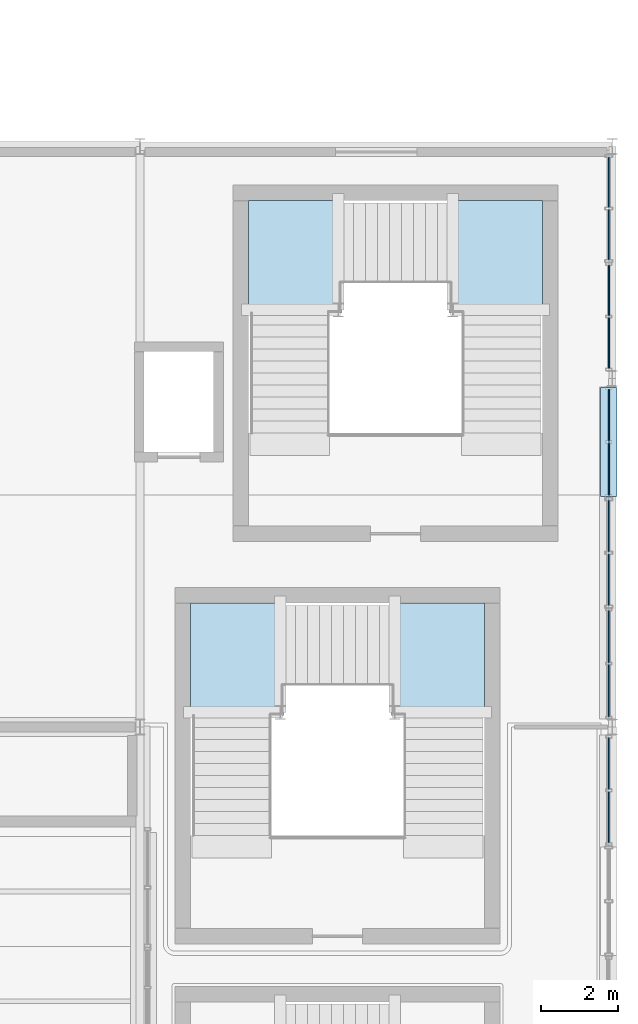
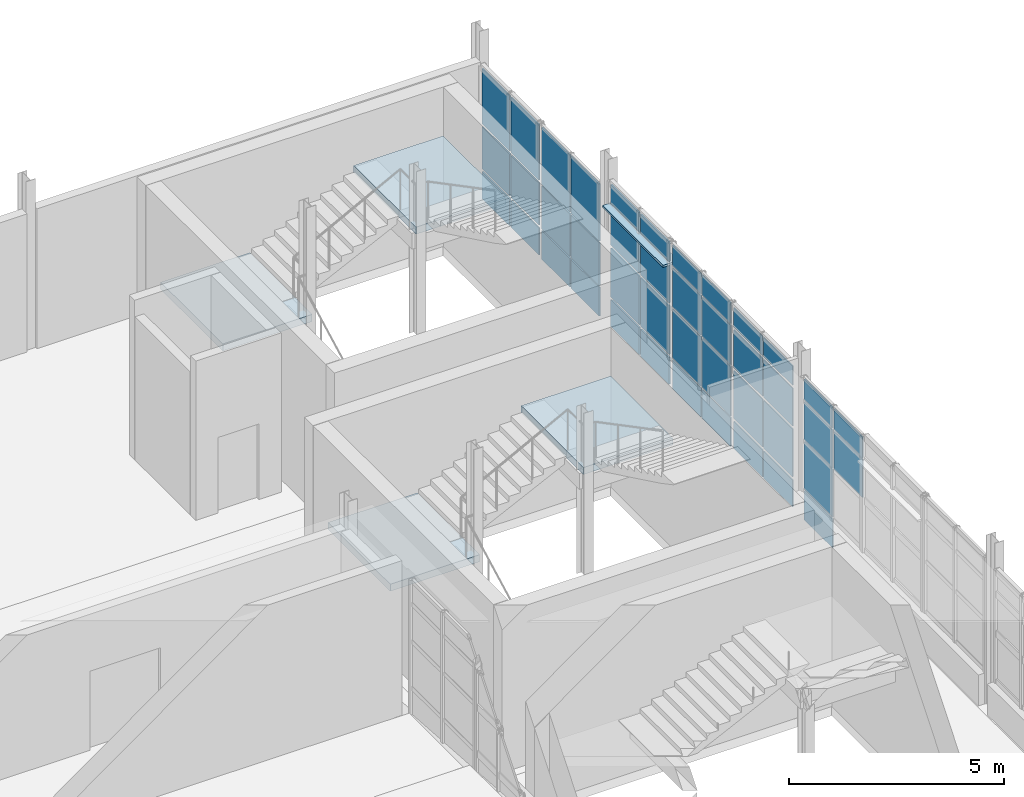
# One storey, part 76 of 100: 43 plates, 4 slabs, 8 elements without a shape of their own.
"""IFC4 building model written with IfcOpenShell, lengths in metres."""

from ifc_helpers import new_model, si_unit, derived_unit, direction, frame, origin, origin_2d, place, context, subcontext, project, spatial, polyline, rectangle, outline, extrude, material, layer, layer_set, type_object, element, aggregate, save


model = new_model("IFC4")

# Units and contexts
model_context = context("Model", 3, precision=1e-05, world=origin(), true_north=direction((0.0, 1.0)))
body_context = subcontext(model_context, "Body", "Model", "MODEL_VIEW")
ifc_project = project(units=[si_unit("LENGTHUNIT", "METRE"), si_unit("AREAUNIT", "SQUARE_METRE"), si_unit("VOLUMEUNIT", "CUBIC_METRE"), si_unit("PLANEANGLEUNIT", "RADIAN"), si_unit("MASSUNIT", "GRAM", prefix="KILO"), derived_unit("THERMALTRANSMITTANCEUNIT", [(si_unit("POWERUNIT", "WATT"), 1), (si_unit("LENGTHUNIT", "METRE"), -2), (si_unit("THERMODYNAMICTEMPERATUREUNIT", "KELVIN"), -1)])], contexts=[model_context])

# Site, building, storey
site_placement = place(None, origin())
site = spatial("IfcSite", under=ifc_project, at=site_placement, CompositionType="ELEMENT")
building_placement = place(site_placement, origin())
building = spatial("IfcBuilding", under=site, at=building_placement, Name="Nallur Shell Playhouse", CompositionType="ELEMENT")
storey_placement = place(building_placement, frame((0.0, 0.0, 10.199951171875)))
storey = spatial("IfcBuildingStorey", under=building, at=storey_placement, Name="L03", CompositionType="ELEMENT", Elevation=10.199951171875)

# Curtain wall, plates
ifc_material_1 = material(Name="Anodised Aluminium Double-Glazed Facade System", Category="aluminium")
ifc_layer_1 = layer(ifc_material_1, 0.179931640625)
ifc_layer_set_1 = layer_set([ifc_layer_1], Name="Anodised Aluminium Double-Glazed Facade System")
curtain_wall_type_1 = type_object("IfcCurtainWallType", Name="CW-UNIT-17", PredefinedType="NOTDEFINED", material=ifc_layer_set_1)
curtain_wall_1_placement = place(storey_placement, origin())
curtain_wall_1 = element("IfcCurtainWall", 1, at=curtain_wall_1_placement, inside=storey, type_object=curtain_wall_type_1, Name="Unitised curtain wall CW-081 (L03)", PredefinedType="NOTDEFINED")
ifc_material_2 = material(Name="Solar-Control Low-E Laminated Insulating Glass", Category="glass")
ifc_layer_2 = layer(ifc_material_2, 0.02587890625)
ifc_layer_set_2 = layer_set([ifc_layer_2], Name="Solar-Control Low-E Laminated Insulating Glass")
plate_type_1 = type_object("IfcPlateType", Name="PT-GLZ-01", PredefinedType="CURTAIN_PANEL", material=ifc_layer_set_2)
plate_1_placement = place(storey_placement, frame((159.7099609375, 46.194091796875, 0.05712890625), z_axis=(0.0, 0.0, 1.0), x_axis=(0.0, -1.0, 0.0)))
plate_1 = element("IfcPlate", 2, at=plate_1_placement, type_object=plate_type_1, Name="CW-17 panel 1.1", PredefinedType="CURTAIN_PANEL", context=body_context, shape_type="SweptSolid", body=[
    extrude(rectangle(XDim=1.3291015625, YDim=0.02587890625, at=origin_2d()), origin(), (0.0, 0.0, 1.0), 0.818603515625),
])
plate_2_placement = place(storey_placement, frame((159.7099609375, 46.194091796875, 0.92431640625), z_axis=(0.0, 0.0, 1.0), x_axis=(0.0, -1.0, 0.0)))
plate_2 = element("IfcPlate", 3, at=plate_2_placement, type_object=plate_type_1, Name="CW-17 panel 1.2", PredefinedType="CURTAIN_PANEL", context=body_context, shape_type="SweptSolid", body=[
    extrude(rectangle(XDim=1.3291015625, YDim=0.02587890625, at=origin_2d()), origin(), (0.0, 0.0, 1.0), 1.406005859375),
])
plate_3_placement = place(storey_placement, frame((159.7099609375, 46.194091796875, 2.37939453125), z_axis=(0.0, 0.0, 1.0), x_axis=(0.0, -1.0, 0.0)))
plate_3 = element("IfcPlate", 4, at=plate_3_placement, type_object=plate_type_1, Name="CW-17 panel 1.3", PredefinedType="CURTAIN_PANEL", context=body_context, shape_type="SweptSolid", body=[
    extrude(rectangle(XDim=1.3291015625, YDim=0.02587890625, at=origin_2d()), origin(), (0.0, 0.0, 1.0), 1.12109375),
])
plate_4_placement = place(storey_placement, frame((159.7099609375, 46.194091796875, 3.5498046875), z_axis=(0.0, 0.0, 1.0), x_axis=(0.0, -1.0, 0.0)))
plate_4 = element("IfcPlate", 5, at=plate_4_placement, type_object=plate_type_1, Name="CW-17 panel 1.4", PredefinedType="CURTAIN_PANEL", context=body_context, shape_type="SweptSolid", body=[
    extrude(rectangle(XDim=1.3291015625, YDim=0.02587890625, at=origin_2d()), origin(), (0.0, 0.0, 1.0), 0.598388671875),
])
plate_5_placement = place(storey_placement, frame((159.7099609375, 44.805908203125, 0.05712890625), z_axis=(0.0, 0.0, 1.0), x_axis=(0.0, -1.0, 0.0)))
plate_5 = element("IfcPlate", 6, at=plate_5_placement, type_object=plate_type_1, Name="CW-17 panel 2.1", PredefinedType="CURTAIN_PANEL", context=body_context, shape_type="SweptSolid", body=[
    extrude(rectangle(XDim=1.3291015625, YDim=0.02587890625, at=origin_2d()), origin(), (0.0, 0.0, 1.0), 0.818603515625),
])
plate_6_placement = place(storey_placement, frame((159.7099609375, 44.805908203125, 0.92431640625), z_axis=(0.0, 0.0, 1.0), x_axis=(0.0, -1.0, 0.0)))
plate_6 = element("IfcPlate", 7, at=plate_6_placement, type_object=plate_type_1, Name="CW-17 panel 2.2", PredefinedType="CURTAIN_PANEL", context=body_context, shape_type="SweptSolid", body=[
    extrude(rectangle(XDim=1.3291015625, YDim=0.02587890625, at=origin_2d()), origin(), (0.0, 0.0, 1.0), 1.406005859375),
])
plate_7_placement = place(storey_placement, frame((159.7099609375, 44.805908203125, 2.37939453125), z_axis=(0.0, 0.0, 1.0), x_axis=(0.0, -1.0, 0.0)))
plate_7 = element("IfcPlate", 8, at=plate_7_placement, type_object=plate_type_1, Name="CW-17 panel 2.3", PredefinedType="CURTAIN_PANEL", context=body_context, shape_type="SweptSolid", body=[
    extrude(rectangle(XDim=1.3291015625, YDim=0.02587890625, at=origin_2d()), origin(), (0.0, 0.0, 1.0), 1.12109375),
])
plate_8_placement = place(storey_placement, frame((159.7099609375, 44.805908203125, 3.5498046875), z_axis=(0.0, 0.0, 1.0), x_axis=(0.0, -1.0, 0.0)))
plate_8 = element("IfcPlate", 9, at=plate_8_placement, type_object=plate_type_1, Name="CW-17 panel 2.4", PredefinedType="CURTAIN_PANEL", context=body_context, shape_type="SweptSolid", body=[
    extrude(rectangle(XDim=1.3291015625, YDim=0.02587890625, at=origin_2d()), origin(), (0.0, 0.0, 1.0), 0.598388671875),
])
aggregate(curtain_wall_1, [plate_1, plate_2, plate_3, plate_4, plate_5, plate_6, plate_7, plate_8])

ifc_layer_3 = layer(ifc_material_1, 0.159912109375)
ifc_layer_set_3 = layer_set([ifc_layer_3], Name="Anodised Aluminium Double-Glazed Facade System")
curtain_wall_type_2 = type_object("IfcCurtainWallType", Name="CW-UNIT-18", PredefinedType="NOTDEFINED", material=ifc_layer_set_3)
curtain_wall_2_placement = place(storey_placement, origin())
curtain_wall_2 = element("IfcCurtainWall", 10, at=curtain_wall_2_placement, inside=storey, type_object=curtain_wall_type_2, Name="Unitised curtain wall CW-082 (L03)", PredefinedType="NOTDEFINED")
ifc_layer_4 = layer(ifc_material_2, 0.028076171875)
ifc_layer_set_4 = layer_set([ifc_layer_4], Name="Solar-Control Low-E Laminated Insulating Glass")
plate_type_2 = type_object("IfcPlateType", Name="PT-GLZ-02", PredefinedType="CURTAIN_PANEL", material=ifc_layer_set_4)
plate_9_placement = place(storey_placement, frame((159.7099609375, 43.333984375, 0.092041015625), z_axis=(0.0, 0.0, 1.0), x_axis=(0.0, -1.0, 0.0)))
plate_9 = element("IfcPlate", 11, at=plate_9_placement, type_object=plate_type_2, Name="CW-18 panel 1.1", PredefinedType="CURTAIN_PANEL", context=body_context, shape_type="SweptSolid", body=[
    extrude(rectangle(XDim=1.3466796875, YDim=0.028076171875, at=origin_2d()), origin(), (0.0, 0.0, 1.0), 0.76611328125),
])
plate_10_placement = place(storey_placement, frame((159.7099609375, 43.333984375, 0.94189453125), z_axis=(0.0, 0.0, 1.0), x_axis=(0.0, -1.0, 0.0)))
plate_10 = element("IfcPlate", 12, at=plate_10_placement, type_object=plate_type_2, Name="CW-18 panel 1.2", PredefinedType="CURTAIN_PANEL", context=body_context, shape_type="SweptSolid", body=[
    extrude(rectangle(XDim=1.3466796875, YDim=0.028076171875, at=origin_2d()), origin(), (0.0, 0.0, 1.0), 1.360107421875),
])
plate_11_placement = place(storey_placement, frame((159.7099609375, 43.333984375, 2.38623046875), z_axis=(0.0, 0.0, 1.0), x_axis=(0.0, -1.0, 0.0)))
plate_11 = element("IfcPlate", 13, at=plate_11_placement, type_object=plate_type_2, Name="CW-18 panel 1.3", PredefinedType="CURTAIN_PANEL", context=body_context, shape_type="SweptSolid", body=[
    extrude(rectangle(XDim=1.3466796875, YDim=0.028076171875, at=origin_2d()), origin(), (0.0, 0.0, 1.0), 1.076904296875),
])
plate_12_placement = place(storey_placement, frame((159.7099609375, 43.333984375, 3.547119140625), z_axis=(0.0, 0.0, 1.0), x_axis=(0.0, -1.0, 0.0)))
plate_12 = element("IfcPlate", 14, at=plate_12_placement, type_object=plate_type_2, Name="CW-18 panel 1.4", PredefinedType="CURTAIN_PANEL", context=body_context, shape_type="SweptSolid", body=[
    extrude(rectangle(XDim=1.3466796875, YDim=0.028076171875, at=origin_2d()), origin(), (0.0, 0.0, 1.0), 0.5458984375),
])
plate_13_placement = place(storey_placement, frame((159.7099609375, 41.938232421875, 0.092041015625), z_axis=(0.0, 0.0, 1.0), x_axis=(0.0, -1.0, 0.0)))
plate_13 = element("IfcPlate", 15, at=plate_13_placement, type_object=plate_type_2, Name="CW-18 panel 2.1", PredefinedType="CURTAIN_PANEL", context=body_context, shape_type="SweptSolid", body=[
    extrude(rectangle(XDim=1.3466796875, YDim=0.028076171875, at=origin_2d()), origin(), (0.0, 0.0, 1.0), 0.76611328125),
])
plate_14_placement = place(storey_placement, frame((159.7099609375, 41.938232421875, 0.94189453125), z_axis=(0.0, 0.0, 1.0), x_axis=(0.0, -1.0, 0.0)))
plate_14 = element("IfcPlate", 16, at=plate_14_placement, type_object=plate_type_2, Name="CW-18 panel 2.2", PredefinedType="CURTAIN_PANEL", context=body_context, shape_type="SweptSolid", body=[
    extrude(rectangle(XDim=1.3466796875, YDim=0.028076171875, at=origin_2d()), origin(), (0.0, 0.0, 1.0), 1.360107421875),
])
plate_15_placement = place(storey_placement, frame((159.7099609375, 41.938232421875, 2.38623046875), z_axis=(0.0, 0.0, 1.0), x_axis=(0.0, -1.0, 0.0)))
plate_15 = element("IfcPlate", 17, at=plate_15_placement, type_object=plate_type_2, Name="CW-18 panel 2.3", PredefinedType="CURTAIN_PANEL", context=body_context, shape_type="SweptSolid", body=[
    extrude(rectangle(XDim=1.3466796875, YDim=0.028076171875, at=origin_2d()), origin(), (0.0, 0.0, 1.0), 1.076904296875),
])
plate_16_placement = place(storey_placement, frame((159.7099609375, 41.938232421875, 3.547119140625), z_axis=(0.0, 0.0, 1.0), x_axis=(0.0, -1.0, 0.0)))
plate_16 = element("IfcPlate", 18, at=plate_16_placement, type_object=plate_type_2, Name="CW-18 panel 2.4", PredefinedType="CURTAIN_PANEL", context=body_context, shape_type="SweptSolid", body=[
    extrude(rectangle(XDim=1.3466796875, YDim=0.028076171875, at=origin_2d()), origin(), (0.0, 0.0, 1.0), 0.5458984375),
])
aggregate(curtain_wall_2, [plate_9, plate_10, plate_11, plate_12, plate_13, plate_14, plate_15, plate_16])

ifc_layer_5 = layer(ifc_material_1, 0.1640625)
ifc_layer_set_5 = layer_set([ifc_layer_5], Name="Anodised Aluminium Double-Glazed Facade System")
curtain_wall_type_3 = type_object("IfcCurtainWallType", Name="CW-UNIT-19", PredefinedType="NOTDEFINED", material=ifc_layer_set_5)
curtain_wall_3_placement = place(storey_placement, origin())
curtain_wall_3 = element("IfcCurtainWall", 19, at=curtain_wall_3_placement, inside=storey, type_object=curtain_wall_type_3, Name="Unitised curtain wall CW-083 (L03)", PredefinedType="NOTDEFINED")
ifc_layer_6 = layer(ifc_material_2, 0.030029296875)
ifc_layer_set_6 = layer_set([ifc_layer_6], Name="Solar-Control Low-E Laminated Insulating Glass")
plate_type_3 = type_object("IfcPlateType", Name="PT-GLZ-03", PredefinedType="CURTAIN_PANEL", material=ifc_layer_set_6)
plate_17_placement = place(storey_placement, frame((159.7099609375, 40.057861328125, 0.05712890625), z_axis=(0.0, 0.0, 1.0), x_axis=(0.0, -1.0, 0.0)))
plate_17 = element("IfcPlate", 20, at=plate_17_placement, type_object=plate_type_3, Name="CW-19 panel 1.1", PredefinedType="CURTAIN_PANEL", context=body_context, shape_type="SweptSolid", body=[
    extrude(rectangle(XDim=1.32421875, YDim=0.030029296875, at=origin_2d()), origin(), (0.0, 0.0, 1.0), 0.818603515625),
])
plate_18_placement = place(storey_placement, frame((159.7099609375, 40.057861328125, 0.924560546875), z_axis=(0.0, 0.0, 1.0), x_axis=(0.0, -1.0, 0.0)))
plate_18 = element("IfcPlate", 21, at=plate_18_placement, type_object=plate_type_3, Name="CW-19 panel 1.2", PredefinedType="CURTAIN_PANEL", context=body_context, shape_type="SweptSolid", body=[
    extrude(rectangle(XDim=1.32421875, YDim=0.030029296875, at=origin_2d()), origin(), (0.0, 0.0, 1.0), 1.35498046875),
])
plate_19_placement = place(storey_placement, frame((159.7099609375, 40.057861328125, 2.32861328125), z_axis=(0.0, 0.0, 1.0), x_axis=(0.0, -1.0, 0.0)))
plate_19 = element("IfcPlate", 22, at=plate_19_placement, type_object=plate_type_3, Name="CW-19 panel 1.3", PredefinedType="CURTAIN_PANEL", context=body_context, shape_type="SweptSolid", body=[
    extrude(rectangle(XDim=1.32421875, YDim=0.030029296875, at=origin_2d()), origin(), (0.0, 0.0, 1.0), 1.08203125),
])
plate_20_placement = place(storey_placement, frame((159.7099609375, 40.057861328125, 3.45947265625), z_axis=(0.0, 0.0, 1.0), x_axis=(0.0, -1.0, 0.0)))
plate_20 = element("IfcPlate", 23, at=plate_20_placement, type_object=plate_type_3, Name="CW-19 panel 1.4", PredefinedType="CURTAIN_PANEL", context=body_context, shape_type="SweptSolid", body=[
    extrude(rectangle(XDim=1.32421875, YDim=0.030029296875, at=origin_2d()), origin(), (0.0, 0.0, 1.0), 0.598388671875),
])
plate_21_placement = place(storey_placement, frame((159.7099609375, 38.669677734375, 2.32861328125), z_axis=(0.0, 0.0, 1.0), x_axis=(0.0, -1.0, 0.0)))
plate_21 = element("IfcPlate", 24, at=plate_21_placement, type_object=plate_type_3, Name="CW-19 panel 2.3", PredefinedType="CURTAIN_PANEL", context=body_context, shape_type="SweptSolid", body=[
    extrude(rectangle(XDim=1.32421875, YDim=0.030029296875, at=origin_2d()), origin(), (0.0, 0.0, 1.0), 1.08203125),
])
plate_22_placement = place(storey_placement, frame((159.7099609375, 38.669677734375, 3.45947265625), z_axis=(0.0, 0.0, 1.0), x_axis=(0.0, -1.0, 0.0)))
plate_22 = element("IfcPlate", 25, at=plate_22_placement, type_object=plate_type_3, Name="CW-19 panel 2.4", PredefinedType="CURTAIN_PANEL", context=body_context, shape_type="SweptSolid", body=[
    extrude(rectangle(XDim=1.32421875, YDim=0.030029296875, at=origin_2d()), origin(), (0.0, 0.0, 1.0), 0.598388671875),
])
aggregate(curtain_wall_3, [plate_17, plate_18, plate_19, plate_20, plate_21, plate_22])

ifc_layer_7 = layer(ifc_material_1, 0.16796875)
ifc_layer_set_7 = layer_set([ifc_layer_7], Name="Anodised Aluminium Double-Glazed Facade System")
curtain_wall_type_4 = type_object("IfcCurtainWallType", Name="CW-UNIT-14", PredefinedType="NOTDEFINED", material=ifc_layer_set_7)
curtain_wall_4_placement = place(storey_placement, origin())
curtain_wall_4 = element("IfcCurtainWall", 26, at=curtain_wall_4_placement, inside=storey, type_object=curtain_wall_type_4, Name="Unitised curtain wall CW-078 (L03)", PredefinedType="NOTDEFINED")
ifc_layer_8 = layer(ifc_material_2, 0.035888671875)
ifc_layer_set_8 = layer_set([ifc_layer_8], Name="Solar-Control Low-E Laminated Insulating Glass")
plate_type_4 = type_object("IfcPlateType", Name="PT-GLZ-06", PredefinedType="CURTAIN_PANEL", material=ifc_layer_set_8)
plate_23_placement = place(storey_placement, frame((159.7099609375, 55.076416015625, 0.092041015625), z_axis=(0.0, 0.0, 1.0), x_axis=(0.0, -1.0, 0.0)))
plate_23 = element("IfcPlate", 27, at=plate_23_placement, type_object=plate_type_4, Name="CW-14 panel 1.1", PredefinedType="CURTAIN_PANEL", context=body_context, shape_type="SweptSolid", body=[
    extrude(rectangle(XDim=1.297119140625, YDim=0.035888671875, at=origin_2d()), origin(), (0.0, 0.0, 1.0), 0.76611328125),
])
plate_24_placement = place(storey_placement, frame((159.7099609375, 55.076416015625, 0.942138671875), z_axis=(0.0, 0.0, 1.0), x_axis=(0.0, -1.0, 0.0)))
plate_24 = element("IfcPlate", 28, at=plate_24_placement, type_object=plate_type_4, Name="CW-14 panel 1.2", PredefinedType="CURTAIN_PANEL", context=body_context, shape_type="SweptSolid", body=[
    extrude(rectangle(XDim=1.297119140625, YDim=0.035888671875, at=origin_2d()), origin(), (0.0, 0.0, 1.0), 1.19189453125),
])
plate_25_placement = place(storey_placement, frame((159.7099609375, 55.076416015625, 2.21826171875), z_axis=(0.0, 0.0, 1.0), x_axis=(0.0, -1.0, 0.0)))
plate_25 = element("IfcPlate", 29, at=plate_25_placement, type_object=plate_type_4, Name="CW-14 panel 1.3", PredefinedType="CURTAIN_PANEL", context=body_context, shape_type="SweptSolid", body=[
    extrude(rectangle(XDim=1.297119140625, YDim=0.035888671875, at=origin_2d()), origin(), (0.0, 0.0, 1.0), 1.574951171875),
])
plate_26_placement = place(storey_placement, frame((159.7099609375, 53.720458984375, 0.092041015625), z_axis=(0.0, 0.0, 1.0), x_axis=(0.0, -1.0, 0.0)))
plate_26 = element("IfcPlate", 30, at=plate_26_placement, type_object=plate_type_4, Name="CW-14 panel 2.1", PredefinedType="CURTAIN_PANEL", context=body_context, shape_type="SweptSolid", body=[
    extrude(rectangle(XDim=1.297119140625, YDim=0.035888671875, at=origin_2d()), origin(), (0.0, 0.0, 1.0), 0.76611328125),
])
plate_27_placement = place(storey_placement, frame((159.7099609375, 53.720458984375, 0.942138671875), z_axis=(0.0, 0.0, 1.0), x_axis=(0.0, -1.0, 0.0)))
plate_27 = element("IfcPlate", 31, at=plate_27_placement, type_object=plate_type_4, Name="CW-14 panel 2.2", PredefinedType="CURTAIN_PANEL", context=body_context, shape_type="SweptSolid", body=[
    extrude(rectangle(XDim=1.297119140625, YDim=0.035888671875, at=origin_2d()), origin(), (0.0, 0.0, 1.0), 1.19189453125),
])
plate_28_placement = place(storey_placement, frame((159.7099609375, 53.720458984375, 2.21826171875), z_axis=(0.0, 0.0, 1.0), x_axis=(0.0, -1.0, 0.0)))
plate_28 = element("IfcPlate", 32, at=plate_28_placement, type_object=plate_type_4, Name="CW-14 panel 2.3", PredefinedType="CURTAIN_PANEL", context=body_context, shape_type="SweptSolid", body=[
    extrude(rectangle(XDim=1.297119140625, YDim=0.035888671875, at=origin_2d()), origin(), (0.0, 0.0, 1.0), 1.574951171875),
])
aggregate(curtain_wall_4, [plate_23, plate_24, plate_25, plate_26, plate_27, plate_28])

ifc_layer_9 = layer(ifc_material_1, 0.172119140625)
ifc_layer_set_9 = layer_set([ifc_layer_9], Name="Anodised Aluminium Double-Glazed Facade System")
curtain_wall_type_5 = type_object("IfcCurtainWallType", Name="CW-UNIT-15", PredefinedType="NOTDEFINED", material=ifc_layer_set_9)
curtain_wall_5_placement = place(storey_placement, origin())
curtain_wall_5 = element("IfcCurtainWall", 33, at=curtain_wall_5_placement, inside=storey, type_object=curtain_wall_type_5, Name="Unitised curtain wall CW-079 (L03)", PredefinedType="NOTDEFINED")
ifc_layer_10 = layer(ifc_material_2, 0.0380859375)
ifc_layer_set_10 = layer_set([ifc_layer_10], Name="Solar-Control Low-E Laminated Insulating Glass")
plate_type_5 = type_object("IfcPlateType", Name="PT-GLZ-07", PredefinedType="CURTAIN_PANEL", material=ifc_layer_set_10)
plate_29_placement = place(storey_placement, frame((159.7099609375, 52.281982421875, 0.05712890625), z_axis=(0.0, 0.0, 1.0), x_axis=(0.0, -1.0, 0.0)))
plate_29 = element("IfcPlate", 34, at=plate_29_placement, type_object=plate_type_5, Name="CW-15 panel 1.1", PredefinedType="CURTAIN_PANEL", context=body_context, shape_type="SweptSolid", body=[
    extrude(rectangle(XDim=1.31201171875, YDim=0.0380859375, at=origin_2d()), origin(), (0.0, 0.0, 1.0), 0.818603515625),
])
plate_30_placement = place(storey_placement, frame((159.7099609375, 52.281982421875, 0.92431640625), z_axis=(0.0, 0.0, 1.0), x_axis=(0.0, -1.0, 0.0)))
plate_30 = element("IfcPlate", 35, at=plate_30_placement, type_object=plate_type_5, Name="CW-15 panel 1.2", PredefinedType="CURTAIN_PANEL", context=body_context, shape_type="SweptSolid", body=[
    extrude(rectangle(XDim=1.31201171875, YDim=0.0380859375, at=origin_2d()), origin(), (0.0, 0.0, 1.0), 1.215087890625),
])
plate_31_placement = place(storey_placement, frame((159.7099609375, 52.281982421875, 2.1884765625), z_axis=(0.0, 0.0, 1.0), x_axis=(0.0, -1.0, 0.0)))
plate_31 = element("IfcPlate", 36, at=plate_31_placement, type_object=plate_type_5, Name="CW-15 panel 1.3", PredefinedType="CURTAIN_PANEL", context=body_context, shape_type="SweptSolid", body=[
    extrude(rectangle(XDim=1.31201171875, YDim=0.0380859375, at=origin_2d()), origin(), (0.0, 0.0, 1.0), 1.619384765625),
])
plate_32_placement = place(storey_placement, frame((159.7099609375, 50.9208984375, 0.05712890625), z_axis=(0.0, 0.0, 1.0), x_axis=(0.0, -1.0, 0.0)))
plate_32 = element("IfcPlate", 37, at=plate_32_placement, type_object=plate_type_5, Name="CW-15 panel 2.1", PredefinedType="CURTAIN_PANEL", context=body_context, shape_type="SweptSolid", body=[
    extrude(rectangle(XDim=1.31201171875, YDim=0.0380859375, at=origin_2d()), origin(), (0.0, 0.0, 1.0), 0.818603515625),
])
plate_33_placement = place(storey_placement, frame((159.7099609375, 50.9208984375, 0.92431640625), z_axis=(0.0, 0.0, 1.0), x_axis=(0.0, -1.0, 0.0)))
plate_33 = element("IfcPlate", 38, at=plate_33_placement, type_object=plate_type_5, Name="CW-15 panel 2.2", PredefinedType="CURTAIN_PANEL", context=body_context, shape_type="SweptSolid", body=[
    extrude(rectangle(XDim=1.31201171875, YDim=0.0380859375, at=origin_2d()), origin(), (0.0, 0.0, 1.0), 1.215087890625),
])
plate_34_placement = place(storey_placement, frame((159.7099609375, 50.9208984375, 2.1884765625), z_axis=(0.0, 0.0, 1.0), x_axis=(0.0, -1.0, 0.0)))
plate_34 = element("IfcPlate", 39, at=plate_34_placement, type_object=plate_type_5, Name="CW-15 panel 2.3", PredefinedType="CURTAIN_PANEL", context=body_context, shape_type="SweptSolid", body=[
    extrude(rectangle(XDim=1.31201171875, YDim=0.0380859375, at=origin_2d()), origin(), (0.0, 0.0, 1.0), 1.619384765625),
])
aggregate(curtain_wall_5, [plate_29, plate_30, plate_31, plate_32, plate_33, plate_34])

ifc_layer_11 = layer(ifc_material_1, 0.176025390625)
ifc_layer_set_11 = layer_set([ifc_layer_11], Name="Anodised Aluminium Double-Glazed Facade System")
curtain_wall_type_6 = type_object("IfcCurtainWallType", Name="CW-UNIT-16", PredefinedType="NOTDEFINED", material=ifc_layer_set_11)
curtain_wall_6_placement = place(storey_placement, origin())
curtain_wall_6 = element("IfcCurtainWall", 40, at=curtain_wall_6_placement, inside=storey, type_object=curtain_wall_type_6, Name="Unitised curtain wall CW-080 (L03)", PredefinedType="NOTDEFINED")
ifc_layer_12 = layer(ifc_material_2, 0.0400390625)
ifc_layer_set_12 = layer_set([ifc_layer_12], Name="Solar-Control Low-E Laminated Insulating Glass")
plate_type_6 = type_object("IfcPlateType", Name="PT-GLZ-08", PredefinedType="CURTAIN_PANEL", material=ifc_layer_set_12)
plate_35_placement = place(storey_placement, frame((159.7099609375, 49.057861328125, 0.092041015625), z_axis=(0.0, 0.0, 1.0), x_axis=(0.0, -1.0, 0.0)))
plate_35 = element("IfcPlate", 41, at=plate_35_placement, type_object=plate_type_6, Name="CW-16 panel 1.1", PredefinedType="CURTAIN_PANEL", context=body_context, shape_type="SweptSolid", body=[
    extrude(rectangle(XDim=1.32421875, YDim=0.0400390625, at=origin_2d()), origin(), (0.0, 0.0, 1.0), 0.76611328125),
])
plate_36_placement = place(storey_placement, frame((159.7099609375, 49.057861328125, 0.94189453125), z_axis=(0.0, 0.0, 1.0), x_axis=(0.0, -1.0, 0.0)))
plate_36 = element("IfcPlate", 42, at=plate_36_placement, type_object=plate_type_6, Name="CW-16 panel 1.2", PredefinedType="CURTAIN_PANEL", context=body_context, shape_type="SweptSolid", body=[
    extrude(rectangle(XDim=1.32421875, YDim=0.0400390625, at=origin_2d()), origin(), (0.0, 0.0, 1.0), 1.382080078125),
])
plate_37_placement = place(storey_placement, frame((159.7099609375, 49.057861328125, 2.408203125), z_axis=(0.0, 0.0, 1.0), x_axis=(0.0, -1.0, 0.0)))
plate_37 = element("IfcPlate", 43, at=plate_37_placement, type_object=plate_type_6, Name="CW-16 panel 1.3", PredefinedType="CURTAIN_PANEL", context=body_context, shape_type="SweptSolid", body=[
    extrude(rectangle(XDim=1.32421875, YDim=0.0400390625, at=origin_2d()), origin(), (0.0, 0.0, 1.0), 1.094970703125),
])
plate_38_placement = place(storey_placement, frame((159.7099609375, 49.057861328125, 3.587158203125), z_axis=(0.0, 0.0, 1.0), x_axis=(0.0, -1.0, 0.0)))
plate_38 = element("IfcPlate", 44, at=plate_38_placement, type_object=plate_type_6, Name="CW-16 panel 1.4", PredefinedType="CURTAIN_PANEL", context=body_context, shape_type="SweptSolid", body=[
    extrude(rectangle(XDim=1.32421875, YDim=0.0400390625, at=origin_2d()), origin(), (0.0, 0.0, 1.0), 0.5458984375),
])
plate_39_placement = place(storey_placement, frame((159.7099609375, 47.669677734375, 0.092041015625), z_axis=(0.0, 0.0, 1.0), x_axis=(0.0, -1.0, 0.0)))
plate_39 = element("IfcPlate", 45, at=plate_39_placement, type_object=plate_type_6, Name="CW-16 panel 2.1", PredefinedType="CURTAIN_PANEL", context=body_context, shape_type="SweptSolid", body=[
    extrude(rectangle(XDim=1.32421875, YDim=0.0400390625, at=origin_2d()), origin(), (0.0, 0.0, 1.0), 0.76611328125),
])
plate_40_placement = place(storey_placement, frame((159.7099609375, 47.669677734375, 0.94189453125), z_axis=(0.0, 0.0, 1.0), x_axis=(0.0, -1.0, 0.0)))
plate_40 = element("IfcPlate", 46, at=plate_40_placement, type_object=plate_type_6, Name="CW-16 panel 2.2", PredefinedType="CURTAIN_PANEL", context=body_context, shape_type="SweptSolid", body=[
    extrude(rectangle(XDim=1.32421875, YDim=0.0400390625, at=origin_2d()), origin(), (0.0, 0.0, 1.0), 1.382080078125),
])
plate_41_placement = place(storey_placement, frame((159.7099609375, 47.669677734375, 2.408203125), z_axis=(0.0, 0.0, 1.0), x_axis=(0.0, -1.0, 0.0)))
plate_41 = element("IfcPlate", 47, at=plate_41_placement, type_object=plate_type_6, Name="CW-16 panel 2.3", PredefinedType="CURTAIN_PANEL", context=body_context, shape_type="SweptSolid", body=[
    extrude(rectangle(XDim=1.32421875, YDim=0.0400390625, at=origin_2d()), origin(), (0.0, 0.0, 1.0), 1.094970703125),
])
plate_42_placement = place(storey_placement, frame((159.7099609375, 47.669677734375, 3.587158203125), z_axis=(0.0, 0.0, 1.0), x_axis=(0.0, -1.0, 0.0)))
plate_42 = element("IfcPlate", 48, at=plate_42_placement, type_object=plate_type_6, Name="CW-16 panel 2.4", PredefinedType="CURTAIN_PANEL", context=body_context, shape_type="SweptSolid", body=[
    extrude(rectangle(XDim=1.32421875, YDim=0.0400390625, at=origin_2d()), origin(), (0.0, 0.0, 1.0), 0.5458984375),
])
aggregate(curtain_wall_6, [plate_35, plate_36, plate_37, plate_38, plate_39, plate_40, plate_41, plate_42])

# Plate
ifc_material_3 = material(Name="Terracotta & Gold-Anodised Monsoon Sunshade Blade", Category="masonry")
ifc_layer_13 = layer(ifc_material_3, 0.06005859375)
ifc_layer_set_13 = layer_set([ifc_layer_13], Name="Terracotta & Gold-Anodised Monsoon Sunshade Blade")
plate_type_7 = type_object("IfcPlateType", Name="PT-LOUVRE-04", PredefinedType="USERDEFINED", material=ifc_layer_set_13)
plate_43_placement = place(storey_placement, frame((159.7099609375, 48.36376953125, 3.51513671875), z_axis=(0.0, 0.0, 1.0), x_axis=(0.0, -1.0, 0.0)))
element("IfcPlate", 49, at=plate_43_placement, inside=storey, type_object=plate_type_7, Name="Monsoon sunshade louvre blade LV-020", ObjectType="SUNSHADE LOUVRE", PredefinedType="USERDEFINED", context=body_context, shape_type="SweptSolid", body=[
    extrude(rectangle(XDim=2.81591796875, YDim=0.419921875, at=origin_2d()), origin(), (0.0, 0.0, 1.0), 0.06005859375),
])

# Stair, slabs
ifc_material_4 = material(Name="Concrete M35", Category="concrete")
stair_type = type_object("IfcStairType", Name="ST-CORE-48", PredefinedType="QUARTER_TURN_STAIR", material=ifc_material_4)
stair_1_placement = place(storey_placement, origin())
stair_1 = element("IfcStair", 50, at=stair_1_placement, inside=storey, type_object=stair_type, Name="Core JC-5 exit stair ST-05-L03 (L03 to L04)", PredefinedType="QUARTER_TURN_STAIR")
ifc_layer_14 = layer(ifc_material_4, 0.199951171875)
ifc_layer_set_14 = layer_set([ifc_layer_14], Name="Concrete M35")
slab_type = type_object("IfcSlabType", Name="SL-LANDING-200", PredefinedType="LANDING", material=ifc_layer_set_14)
slab_1_placement = place(storey_placement, frame((0.0, 0.0, 1.449951171875)))
slab_1 = element("IfcSlab", 51, at=slab_1_placement, type_object=slab_type, Name="ST-48 landing 1", PredefinedType="LANDING", context=body_context, shape_type="SweptSolid", body=[
    extrude(outline(polyline([(150.39990234375, 51.699951171875), (152.804931640625, 51.699951171875), (152.804931640625, 54.60009765625), (150.39990234375, 54.60009765625), (150.39990234375, 51.699951171875)])), origin(), (0.0, 0.0, 1.0), 0.2001953125),
])
slab_2_placement = place(storey_placement, frame((0.0, 0.0, 2.949951171875)))
slab_2 = element("IfcSlab", 52, at=slab_2_placement, type_object=slab_type, Name="ST-48 landing 2", PredefinedType="LANDING", context=body_context, shape_type="SweptSolid", body=[
    extrude(outline(polyline([(155.594970703125, 51.699951171875), (158.0, 51.699951171875), (158.0, 54.60009765625), (155.594970703125, 54.60009765625), (155.594970703125, 51.699951171875)])), origin(), (0.0, 0.0, 1.0), 0.2001953125),
])
aggregate(stair_1, [slab_1, slab_2])

stair_2_placement = place(storey_placement, origin())
stair_2 = element("IfcStair", 53, at=stair_2_placement, inside=storey, type_object=stair_type, Name="Core JC-9 exit stair ST-09-L03 (L03 to L04)", PredefinedType="QUARTER_TURN_STAIR")
slab_3_placement = place(storey_placement, frame((0.0, 0.0, 1.449951171875)))
slab_3 = element("IfcSlab", 54, at=slab_3_placement, type_object=slab_type, Name="ST-48 landing 1", PredefinedType="LANDING", context=body_context, shape_type="SweptSolid", body=[
    extrude(outline(polyline([(148.89990234375, 41.300048828125), (151.304931640625, 41.300048828125), (151.304931640625, 44.199951171875), (148.89990234375, 44.199951171875), (148.89990234375, 41.300048828125)])), origin(), (0.0, 0.0, 1.0), 0.2001953125),
])
slab_4_placement = place(storey_placement, frame((0.0, 0.0, 2.949951171875)))
slab_4 = element("IfcSlab", 55, at=slab_4_placement, type_object=slab_type, Name="ST-48 landing 2", PredefinedType="LANDING", context=body_context, shape_type="SweptSolid", body=[
    extrude(outline(polyline([(154.094970703125, 41.300048828125), (156.5, 41.300048828125), (156.5, 44.199951171875), (154.094970703125, 44.199951171875), (154.094970703125, 41.300048828125)])), origin(), (0.0, 0.0, 1.0), 0.2001953125),
])
aggregate(stair_2, [slab_3, slab_4])

save(model, "model.ifc")
